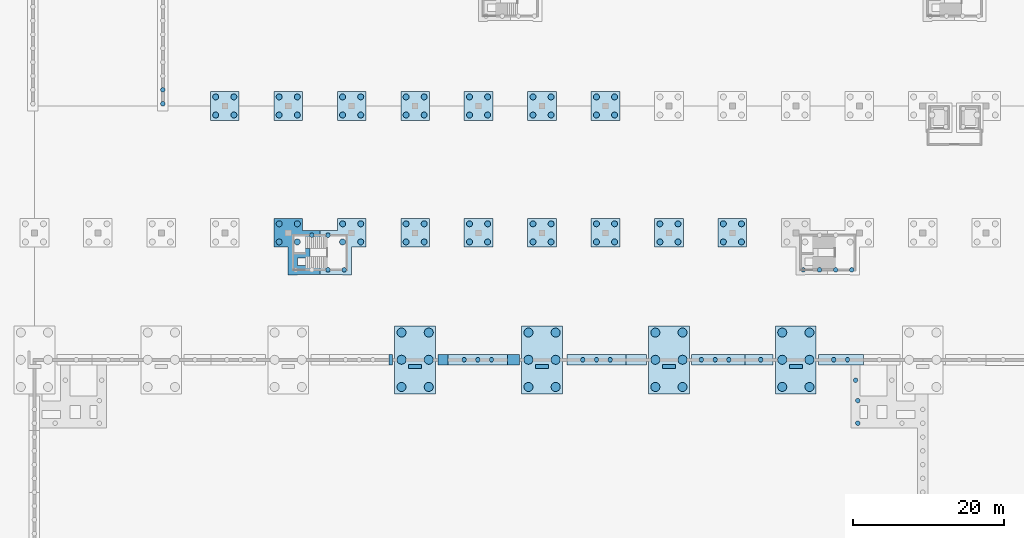
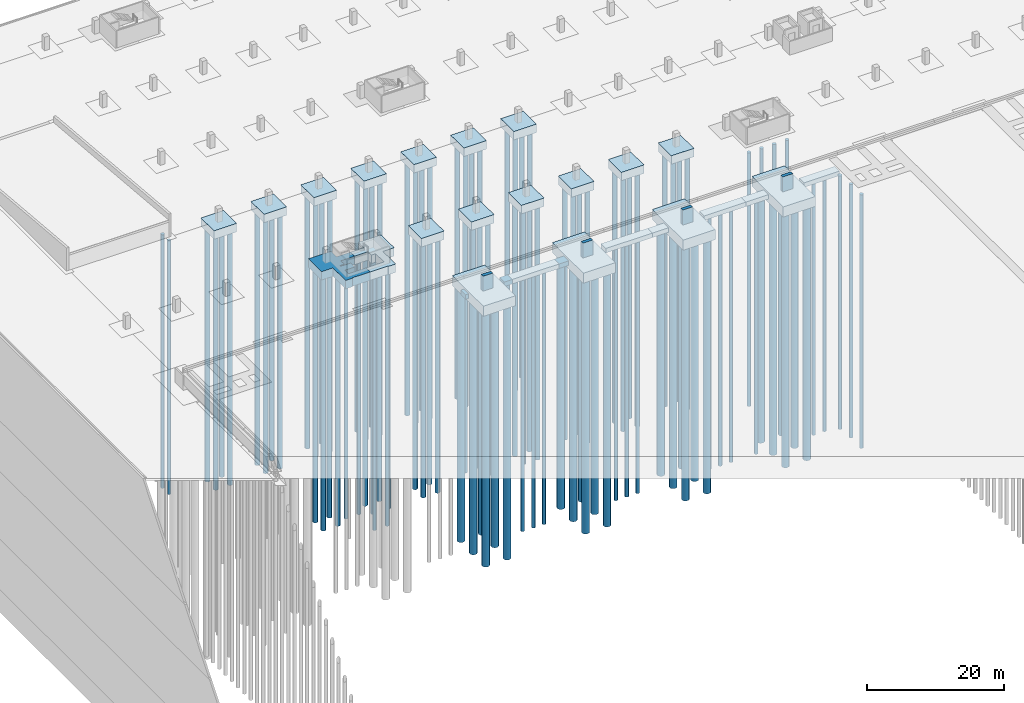
# One storey, part 14 of 67: 109 piles, 32 footings.
"""IFC4 building model written with IfcOpenShell, lengths in metres."""

from ifc_helpers import new_model, si_unit, direction, frame, origin, origin_2d, place, context, subcontext, project, spatial, polyline, circle, outline, extrude, material, material_profile, profile_set, type_object, element, save


model = new_model("IFC4")

# Units and contexts
model_context = context("Model", 3, precision=1e-05, world=origin(), true_north=direction((0.0, 1.0)))
body_context = subcontext(model_context, "Body", "Model", "MODEL_VIEW")
ifc_project = project(units=[si_unit("LENGTHUNIT", "METRE"), si_unit("AREAUNIT", "SQUARE_METRE"), si_unit("VOLUMEUNIT", "CUBIC_METRE"), si_unit("PLANEANGLEUNIT", "RADIAN"), si_unit("MASSUNIT", "GRAM", prefix="KILO")], contexts=[model_context])

# Site, building, storey
site_placement = place(None, origin())
site = spatial("IfcSite", under=ifc_project, at=site_placement, CompositionType="ELEMENT")
building_placement = place(site_placement, origin())
building = spatial("IfcBuilding", under=site, at=building_placement, Name="Rain Tree Exposition and Congress Centre", CompositionType="ELEMENT")
storey_placement = place(building_placement, frame((0.0, 0.0, -3.0)))
storey = spatial("IfcBuildingStorey", under=building, at=storey_placement, Name="B1", CompositionType="ELEMENT", Elevation=-3.0)

# Piles
ifc_material_1 = material(Name="Concrete C35/45", Category="concrete")
ifc_material_profile_1 = material_profile(ifc_material_1, circle(Radius=0.60009765625, at=origin_2d()), Name="D1200")
ifc_profile_set_1 = profile_set([ifc_material_profile_1], Name="Concrete C35/45")
pile_type_1 = type_object("IfcPileType", Name="Bored pile D1200", PredefinedType="BORED", material=ifc_profile_set_1)
for number, where, z_axis, x_axis, name in (
    (1, (57.0, 198.0, -1.72509765625), (0.0, 0.0, -1.0), (1.0, 0.0, 0.0), "Bored pile 0429"),
    (2, (60.60009765625, 198.0, -1.72509765625), (0.0, 0.0, -1.0), (1.0, 0.0, 0.0), "Bored pile 0430"),
    (3, (57.0, 201.60009765625, -1.72509765625), (0.0, 0.0, -1.0), (1.0, 0.0, 0.0), "Bored pile 0431"),
    (4, (60.60009765625, 201.60009765625, -1.72509765625), (0.0, 0.0, -1.0), (1.0, 0.0, 0.0), "Bored pile 0432"),
    (5, (57.0, 205.199951171875, -1.72509765625), (0.0, 0.0, -1.0), (1.0, 0.0, 0.0), "Bored pile 0433"),
    (6, (60.60009765625, 205.199951171875, -1.72509765625), (0.0, 0.0, -1.0), (1.0, 0.0, 0.0), "Bored pile 0434"),
    (7, (73.800048828125, 198.0, -1.72509765625), (0.0, 0.0, -1.0), (1.0, 0.0, 0.0), "Bored pile 0622"),
    (8, (77.39990234375, 198.0, -1.72509765625), (0.0, 0.0, -1.0), (1.0, 0.0, 0.0), "Bored pile 0623"),
    (9, (73.800048828125, 201.60009765625, -1.72509765625), (0.0, 0.0, -1.0), (1.0, 0.0, 0.0), "Bored pile 0624"),
    (10, (77.39990234375, 201.60009765625, -1.72509765625), (0.0, 0.0, -1.0), (1.0, 0.0, 0.0), "Bored pile 0625"),
    (11, (73.800048828125, 205.199951171875, -1.72509765625), (0.0, 0.0, -1.0), (1.0, 0.0, 0.0), "Bored pile 0626"),
    (12, (77.39990234375, 205.199951171875, -1.72509765625), (0.0, 0.0, -1.0), (1.0, 0.0, 0.0), "Bored pile 0627"),
    (13, (90.60009765625, 198.0, -1.72509765625), (0.0, 0.0, -1.0), (1.0, 0.0, 0.0), "Bored pile 0628"),
    (14, (94.199951171875, 198.0, -1.72509765625), (0.0, 0.0, -1.0), (1.0, 0.0, 0.0), "Bored pile 0629"),
    (15, (90.60009765625, 201.60009765625, -1.72509765625), (0.0, 0.0, -1.0), (1.0, 0.0, 0.0), "Bored pile 0630"),
    (16, (94.199951171875, 201.60009765625, -1.72509765625), (0.0, 0.0, -1.0), (1.0, 0.0, 0.0), "Bored pile 0631"),
    (17, (90.60009765625, 205.199951171875, -1.72509765625), (0.0, 0.0, -1.0), (1.0, 0.0, 0.0), "Bored pile 0632"),
    (18, (94.199951171875, 205.199951171875, -1.72509765625), (0.0, 0.0, -1.0), (1.0, 0.0, 0.0), "Bored pile 0633"),
    (19, (107.39990234375, 198.0, -1.72509765625), (0.0, 0.0, -1.0), (1.0, 0.0, 0.0), "Bored pile 0807"),
    (20, (111.0, 198.0, -1.72509765625), (0.0, 0.0, -1.0), (1.0, 0.0, 0.0), "Bored pile 0808"),
    (21, (107.39990234375, 201.60009765625, -1.72509765625), (0.0, 0.0, -1.0), (1.0, 0.0, 0.0), "Bored pile 0809"),
    (22, (111.0, 201.60009765625, -1.72509765625), (0.0, 0.0, -1.0), (1.0, 0.0, 0.0), "Bored pile 0810"),
    (23, (107.39990234375, 205.199951171875, -1.72509765625), (0.0, 0.0, -1.0), (1.0, 0.0, 0.0), "Bored pile 0811"),
    (24, (111.0, 205.199951171875, -1.72509765625), (0.0, 0.0, -1.0), (1.0, 0.0, 0.0), "Bored pile 0812"),
):
    element("IfcPile", number, at=place(storey_placement, frame(where, z_axis=z_axis, x_axis=x_axis)), inside=storey, type_object=pile_type_1, Name=name, PredefinedType="BORED", context=body_context, shape_type="SweptSolid", body=[
        extrude(circle(Radius=0.60009765625, at=origin_2d()), origin(), (0.0, 0.0, 1.0), 45.074951171875),
    ])
ifc_material_2 = material(Name="Concrete C35/45", Category="concrete")
ifc_material_profile_2 = material_profile(ifc_material_2, circle(Radius=0.300048828125, at=origin_2d()), Name="D600")
ifc_profile_set_2 = profile_set([ifc_material_profile_2], Name="Concrete C35/45")
pile_type_2 = type_object("IfcPileType", Name="Bored pile D600", PredefinedType="BORED", material=ifc_profile_set_2)
for number, where, z_axis, x_axis, name in (
    (25, (25.39990234375, 237.333251953125, -0.72509765625), (0.0, 0.0, -1.0), (1.0, 0.0, 0.0), "Bored pile 0265"),
    (26, (25.39990234375, 235.5, -0.72509765625), (0.0, 0.0, -1.0), (1.0, 0.0, 0.0), "Bored pile 0266"),
    (27, (45.13330078125, 218.10009765625, -1.425048828125), (0.0, 0.0, -1.0), (1.0, 0.0, 0.0), "Bored pile 0441"),
    (28, (47.2666015625, 213.5, -1.425048828125), (0.0, 0.0, -1.0), (1.0, 0.0, 0.0), "Bored pile 0442"),
    (29, (47.2666015625, 218.10009765625, -1.425048828125), (0.0, 0.0, -1.0), (1.0, 0.0, 0.0), "Bored pile 0443"),
    (30, (49.39990234375, 213.5, -1.425048828125), (0.0, 0.0, -1.0), (1.0, 0.0, 0.0), "Bored pile 0446"),
    (31, (110.199951171875, 213.5, -1.425048828125), (0.0, 0.0, -1.0), (1.0, 0.0, 0.0), "Bored pile 0815"),
    (32, (112.333251953125, 213.5, -1.425048828125), (0.0, 0.0, -1.0), (1.0, 0.0, 0.0), "Bored pile 0818"),
    (33, (114.466796875, 213.5, -1.425048828125), (0.0, 0.0, -1.0), (1.0, 0.0, 0.0), "Bored pile 0820"),
    (34, (116.60009765625, 213.5, -1.425048828125), (0.0, 0.0, -1.0), (1.0, 0.0, 0.0), "Bored pile 0824"),
    (35, (117.39990234375, 193.199951171875, 0.92578125), (0.0, 0.0, -1.0), (1.0, 0.0, 0.0), "Bored pile 1813"),
    (36, (117.39990234375, 196.199951171875, 0.92578125), (0.0, 0.0, -1.0), (1.0, 0.0, 0.0), "Bored pile 1815"),
    (37, (117.10009765625, 198.89990234375, 0.92578125), (0.0, 0.0, -1.0), (1.0, 0.0, 0.0), "Bored pile 1816"),
    (38, (65.28662109375, 201.60009765625, -0.72509765625), (0.0, 0.0, -1.0), (1.0, 0.0, 0.0), "Bored pile 2500"),
    (39, (67.10009765625, 201.60009765625, -0.72509765625), (0.0, 0.0, -1.0), (1.0, 0.0, 0.0), "Bored pile 2501"),
    (40, (68.913330078125, 201.60009765625, -0.72509765625), (0.0, 0.0, -1.0), (1.0, 0.0, 0.0), "Bored pile 2502"),
    (41, (80.993408203125, 201.60009765625, -0.72509765625), (0.0, 0.0, -1.0), (1.0, 0.0, 0.0), "Bored pile 2503"),
    (42, (82.806640625, 201.60009765625, -0.72509765625), (0.0, 0.0, -1.0), (1.0, 0.0, 0.0), "Bored pile 2504"),
    (43, (84.6201171875, 201.60009765625, -0.72509765625), (0.0, 0.0, -1.0), (1.0, 0.0, 0.0), "Bored pile 2505"),
    (44, (96.699951171875, 201.60009765625, -0.72509765625), (0.0, 0.0, -1.0), (1.0, 0.0, 0.0), "Bored pile 2506"),
    (45, (98.51318359375, 201.60009765625, -0.72509765625), (0.0, 0.0, -1.0), (1.0, 0.0, 0.0), "Bored pile 2507"),
    (46, (100.32666015625, 201.60009765625, -0.72509765625), (0.0, 0.0, -1.0), (1.0, 0.0, 0.0), "Bored pile 2508"),
    (47, (104.55322265625, 201.60009765625, -0.72509765625), (0.0, 0.0, -1.0), (1.0, 0.0, 0.0), "Bored pile 2509"),
    (48, (114.219970703125, 201.60009765625, -0.72509765625), (0.0, 0.0, -1.0), (1.0, 0.0, 0.0), "Bored pile 2510"),
    (49, (116.033203125, 201.60009765625, -0.72509765625), (0.0, 0.0, -1.0), (1.0, 0.0, 0.0), "Bored pile 2511"),
):
    element("IfcPile", number, at=place(storey_placement, frame(where, z_axis=z_axis, x_axis=x_axis)), inside=storey, type_object=pile_type_2, Name=name, PredefinedType="BORED", context=body_context, shape_type="SweptSolid", body=[
        extrude(circle(Radius=0.300048828125, at=origin_2d()), origin(), (0.0, 0.0, 1.0), 45.074951171875),
    ])
ifc_material_3 = material(Name="Concrete C35/45", Category="concrete")
ifc_material_profile_3 = material_profile(ifc_material_3, circle(Radius=0.39990234375, at=origin_2d()), Name="D800")
ifc_profile_set_3 = profile_set([ifc_material_profile_3], Name="Concrete C35/45")
pile_type_3 = type_object("IfcPileType", Name="Bored pile D800", PredefinedType="BORED", material=ifc_profile_set_3)
for number, where, z_axis, x_axis, name in (
    (50, (32.39990234375, 234.0, -1.425048828125), (0.0, 0.0, -1.0), (1.0, 0.0, 0.0), "Bored pile 0221"),
    (51, (34.800048828125, 234.0, -1.425048828125), (0.0, 0.0, -1.0), (1.0, 0.0, 0.0), "Bored pile 0222"),
    (52, (32.39990234375, 236.39990234375, -1.425048828125), (0.0, 0.0, -1.0), (1.0, 0.0, 0.0), "Bored pile 0223"),
    (53, (34.800048828125, 236.39990234375, -1.425048828125), (0.0, 0.0, -1.0), (1.0, 0.0, 0.0), "Bored pile 0224"),
    (54, (40.800048828125, 217.199951171875, -1.425048828125), (0.0, 0.0, -1.0), (1.0, 0.0, 0.0), "Bored pile 0435"),
    (55, (40.800048828125, 219.60009765625, -1.425048828125), (0.0, 0.0, -1.0), (1.0, 0.0, 0.0), "Bored pile 0436"),
    (56, (43.199951171875, 217.199951171875, -1.425048828125), (0.0, 0.0, -1.0), (1.0, 0.0, 0.0), "Bored pile 0438"),
    (57, (43.199951171875, 219.60009765625, -1.425048828125), (0.0, 0.0, -1.0), (1.0, 0.0, 0.0), "Bored pile 0439"),
    (58, (49.199951171875, 217.199951171875, -1.425048828125), (0.0, 0.0, -1.0), (1.0, 0.0, 0.0), "Bored pile 0444"),
    (59, (49.199951171875, 219.60009765625, -1.425048828125), (0.0, 0.0, -1.0), (1.0, 0.0, 0.0), "Bored pile 0445"),
    (60, (51.60009765625, 217.199951171875, -1.425048828125), (0.0, 0.0, -1.0), (1.0, 0.0, 0.0), "Bored pile 0447"),
    (61, (51.60009765625, 219.60009765625, -1.425048828125), (0.0, 0.0, -1.0), (1.0, 0.0, 0.0), "Bored pile 0448"),
    (62, (57.60009765625, 217.199951171875, -1.425048828125), (0.0, 0.0, -1.0), (1.0, 0.0, 0.0), "Bored pile 0449"),
    (63, (60.0, 217.199951171875, -1.425048828125), (0.0, 0.0, -1.0), (1.0, 0.0, 0.0), "Bored pile 0450"),
    (64, (57.60009765625, 219.60009765625, -1.425048828125), (0.0, 0.0, -1.0), (1.0, 0.0, 0.0), "Bored pile 0451"),
    (65, (60.0, 219.60009765625, -1.425048828125), (0.0, 0.0, -1.0), (1.0, 0.0, 0.0), "Bored pile 0452"),
    (66, (66.0, 217.199951171875, -1.425048828125), (0.0, 0.0, -1.0), (1.0, 0.0, 0.0), "Bored pile 0453"),
    (67, (68.39990234375, 217.199951171875, -1.425048828125), (0.0, 0.0, -1.0), (1.0, 0.0, 0.0), "Bored pile 0454"),
    (68, (66.0, 219.60009765625, -1.425048828125), (0.0, 0.0, -1.0), (1.0, 0.0, 0.0), "Bored pile 0455"),
    (69, (68.39990234375, 219.60009765625, -1.425048828125), (0.0, 0.0, -1.0), (1.0, 0.0, 0.0), "Bored pile 0456"),
    (70, (40.800048828125, 234.0, -1.425048828125), (0.0, 0.0, -1.0), (1.0, 0.0, 0.0), "Bored pile 0457"),
    (71, (43.199951171875, 234.0, -1.425048828125), (0.0, 0.0, -1.0), (1.0, 0.0, 0.0), "Bored pile 0458"),
    (72, (40.800048828125, 236.39990234375, -1.425048828125), (0.0, 0.0, -1.0), (1.0, 0.0, 0.0), "Bored pile 0459"),
    (73, (43.199951171875, 236.39990234375, -1.425048828125), (0.0, 0.0, -1.0), (1.0, 0.0, 0.0), "Bored pile 0460"),
    (74, (66.0, 234.0, -1.425048828125), (0.0, 0.0, -1.0), (1.0, 0.0, 0.0), "Bored pile 0461"),
    (75, (68.39990234375, 234.0, -1.425048828125), (0.0, 0.0, -1.0), (1.0, 0.0, 0.0), "Bored pile 0462"),
    (76, (66.0, 236.39990234375, -1.425048828125), (0.0, 0.0, -1.0), (1.0, 0.0, 0.0), "Bored pile 0463"),
    (77, (68.39990234375, 236.39990234375, -1.425048828125), (0.0, 0.0, -1.0), (1.0, 0.0, 0.0), "Bored pile 0464"),
    (78, (49.199951171875, 234.0, -1.425048828125), (0.0, 0.0, -1.0), (1.0, 0.0, 0.0), "Bored pile 0465"),
    (79, (51.60009765625, 234.0, -1.425048828125), (0.0, 0.0, -1.0), (1.0, 0.0, 0.0), "Bored pile 0466"),
    (80, (49.199951171875, 236.39990234375, -1.425048828125), (0.0, 0.0, -1.0), (1.0, 0.0, 0.0), "Bored pile 0467"),
    (81, (51.60009765625, 236.39990234375, -1.425048828125), (0.0, 0.0, -1.0), (1.0, 0.0, 0.0), "Bored pile 0468"),
    (82, (57.60009765625, 234.0, -1.425048828125), (0.0, 0.0, -1.0), (1.0, 0.0, 0.0), "Bored pile 0469"),
    (83, (60.0, 234.0, -1.425048828125), (0.0, 0.0, -1.0), (1.0, 0.0, 0.0), "Bored pile 0470"),
    (84, (57.60009765625, 236.39990234375, -1.425048828125), (0.0, 0.0, -1.0), (1.0, 0.0, 0.0), "Bored pile 0471"),
    (85, (60.0, 236.39990234375, -1.425048828125), (0.0, 0.0, -1.0), (1.0, 0.0, 0.0), "Bored pile 0472"),
    (86, (91.199951171875, 217.199951171875, -1.425048828125), (0.0, 0.0, -1.0), (1.0, 0.0, 0.0), "Bored pile 0634"),
    (87, (93.60009765625, 217.199951171875, -1.425048828125), (0.0, 0.0, -1.0), (1.0, 0.0, 0.0), "Bored pile 0635"),
    (88, (91.199951171875, 219.60009765625, -1.425048828125), (0.0, 0.0, -1.0), (1.0, 0.0, 0.0), "Bored pile 0636"),
    (89, (93.60009765625, 219.60009765625, -1.425048828125), (0.0, 0.0, -1.0), (1.0, 0.0, 0.0), "Bored pile 0637"),
    (90, (99.60009765625, 217.199951171875, -1.425048828125), (0.0, 0.0, -1.0), (1.0, 0.0, 0.0), "Bored pile 0638"),
    (91, (102.0, 217.199951171875, -1.425048828125), (0.0, 0.0, -1.0), (1.0, 0.0, 0.0), "Bored pile 0639"),
    (92, (99.60009765625, 219.60009765625, -1.425048828125), (0.0, 0.0, -1.0), (1.0, 0.0, 0.0), "Bored pile 0640"),
    (93, (102.0, 219.60009765625, -1.425048828125), (0.0, 0.0, -1.0), (1.0, 0.0, 0.0), "Bored pile 0641"),
    (94, (82.800048828125, 217.199951171875, -1.425048828125), (0.0, 0.0, -1.0), (1.0, 0.0, 0.0), "Bored pile 0642"),
    (95, (85.199951171875, 217.199951171875, -1.425048828125), (0.0, 0.0, -1.0), (1.0, 0.0, 0.0), "Bored pile 0643"),
    (96, (82.800048828125, 219.60009765625, -1.425048828125), (0.0, 0.0, -1.0), (1.0, 0.0, 0.0), "Bored pile 0644"),
    (97, (85.199951171875, 219.60009765625, -1.425048828125), (0.0, 0.0, -1.0), (1.0, 0.0, 0.0), "Bored pile 0645"),
    (98, (74.39990234375, 217.199951171875, -1.425048828125), (0.0, 0.0, -1.0), (1.0, 0.0, 0.0), "Bored pile 0646"),
    (99, (76.800048828125, 217.199951171875, -1.425048828125), (0.0, 0.0, -1.0), (1.0, 0.0, 0.0), "Bored pile 0647"),
    (100, (74.39990234375, 219.60009765625, -1.425048828125), (0.0, 0.0, -1.0), (1.0, 0.0, 0.0), "Bored pile 0648"),
    (101, (76.800048828125, 219.60009765625, -1.425048828125), (0.0, 0.0, -1.0), (1.0, 0.0, 0.0), "Bored pile 0649"),
    (102, (82.800048828125, 234.0, -1.425048828125), (0.0, 0.0, -1.0), (1.0, 0.0, 0.0), "Bored pile 0654"),
    (103, (85.199951171875, 234.0, -1.425048828125), (0.0, 0.0, -1.0), (1.0, 0.0, 0.0), "Bored pile 0655"),
    (104, (82.800048828125, 236.39990234375, -1.425048828125), (0.0, 0.0, -1.0), (1.0, 0.0, 0.0), "Bored pile 0656"),
    (105, (85.199951171875, 236.39990234375, -1.425048828125), (0.0, 0.0, -1.0), (1.0, 0.0, 0.0), "Bored pile 0657"),
    (106, (74.39990234375, 234.0, -1.425048828125), (0.0, 0.0, -1.0), (1.0, 0.0, 0.0), "Bored pile 0658"),
    (107, (76.800048828125, 234.0, -1.425048828125), (0.0, 0.0, -1.0), (1.0, 0.0, 0.0), "Bored pile 0659"),
    (108, (74.39990234375, 236.39990234375, -1.425048828125), (0.0, 0.0, -1.0), (1.0, 0.0, 0.0), "Bored pile 0660"),
    (109, (76.800048828125, 236.39990234375, -1.425048828125), (0.0, 0.0, -1.0), (1.0, 0.0, 0.0), "Bored pile 0661"),
):
    element("IfcPile", number, at=place(storey_placement, frame(where, z_axis=z_axis, x_axis=x_axis)), inside=storey, type_object=pile_type_3, Name=name, PredefinedType="BORED", context=body_context, shape_type="SweptSolid", body=[
        extrude(circle(Radius=0.39990234375, at=origin_2d()), origin(), (0.0, 0.0, 1.0), 45.074951171875),
    ])

# Footings
ifc_material_4 = material(Name="Concrete C35/45", Category="concrete")
footing_type_1 = type_object("IfcFootingType", Name="Pier cap 2650 thick", PredefinedType="PILE_CAP", material=ifc_material_4)
footing_1_placement = place(storey_placement, origin())
element("IfcFooting", 110, at=footing_1_placement, inside=storey, type_object=footing_type_1, Name="Pier cap 017", PredefinedType="PILE_CAP", context=body_context, shape_type="SweptSolid", body=[
    extrude(outline(polyline([(57.949951171875, 201.0), (57.949951171875, 200.449951171875), (59.64990234375, 200.449951171875), (59.64990234375, 201.0), (57.949951171875, 201.0)])), origin(), (0.0, 0.0, 1.0), 2.64990234375),
])
footing_2_placement = place(storey_placement, origin())
element("IfcFooting", 111, at=footing_2_placement, inside=storey, type_object=footing_type_1, Name="Pier cap 018", PredefinedType="PILE_CAP", context=body_context, shape_type="SweptSolid", body=[
    extrude(outline(polyline([(74.75, 201.0), (74.75, 200.449951171875), (76.449951171875, 200.449951171875), (76.449951171875, 201.0), (74.75, 201.0)])), origin(), (0.0, 0.0, 1.0), 2.64990234375),
])
footing_3_placement = place(storey_placement, origin())
element("IfcFooting", 112, at=footing_3_placement, inside=storey, type_object=footing_type_1, Name="Pier cap 019", PredefinedType="PILE_CAP", context=body_context, shape_type="SweptSolid", body=[
    extrude(outline(polyline([(91.550048828125, 201.0), (91.550048828125, 200.449951171875), (93.25, 200.449951171875), (93.25, 201.0), (91.550048828125, 201.0)])), origin(), (0.0, 0.0, 1.0), 2.64990234375),
])
footing_4_placement = place(storey_placement, origin())
element("IfcFooting", 113, at=footing_4_placement, inside=storey, type_object=footing_type_1, Name="Pier cap 020", PredefinedType="PILE_CAP", context=body_context, shape_type="SweptSolid", body=[
    extrude(outline(polyline([(108.35009765625, 201.0), (108.35009765625, 200.449951171875), (110.050048828125, 200.449951171875), (110.050048828125, 201.0), (108.35009765625, 201.0)])), origin(), (0.0, 0.0, 1.0), 2.64990234375),
])
ifc_material_5 = material(Name="Concrete C35/45", Category="concrete")
footing_type_2 = type_object("IfcFootingType", Name="Pile cap 1500 thick", PredefinedType="PILE_CAP", material=ifc_material_5)
footing_5_placement = place(storey_placement, frame((0.0, 0.0, -1.5)))
element("IfcFooting", 114, at=footing_5_placement, inside=storey, type_object=footing_type_2, Name="Pile cap 051", PredefinedType="PILE_CAP", context=body_context, shape_type="SweptSolid", body=[
    extrude(outline(polyline([(35.5, 233.300048828125), (35.5, 237.10009765625), (31.699951171875, 237.10009765625), (31.699951171875, 233.300048828125), (35.5, 233.300048828125)])), origin(), (0.0, 0.0, 1.0), 1.5),
])
footing_6_placement = place(storey_placement, frame((0.0, 0.0, -1.5)))
element("IfcFooting", 115, at=footing_6_placement, inside=storey, type_object=footing_type_2, Name="Pile cap 087", PredefinedType="PILE_CAP", context=body_context, shape_type="SweptSolid", body=[
    extrude(outline(polyline([(60.699951171875, 216.5), (60.699951171875, 220.300048828125), (56.89990234375, 220.300048828125), (56.89990234375, 216.5), (60.699951171875, 216.5)])), origin(), (0.0, 0.0, 1.0), 1.5),
])
footing_7_placement = place(storey_placement, frame((0.0, 0.0, -1.5)))
element("IfcFooting", 116, at=footing_7_placement, inside=storey, type_object=footing_type_2, Name="Pile cap 088", PredefinedType="PILE_CAP", context=body_context, shape_type="SweptSolid", body=[
    extrude(outline(polyline([(69.10009765625, 216.5), (69.10009765625, 220.300048828125), (65.300048828125, 220.300048828125), (65.300048828125, 216.5), (69.10009765625, 216.5)])), origin(), (0.0, 0.0, 1.0), 1.5),
])
footing_8_placement = place(storey_placement, frame((0.0, 0.0, -1.5)))
element("IfcFooting", 117, at=footing_8_placement, inside=storey, type_object=footing_type_2, Name="Pile cap 089", PredefinedType="PILE_CAP", context=body_context, shape_type="SweptSolid", body=[
    extrude(outline(polyline([(43.89990234375, 233.300048828125), (43.89990234375, 237.10009765625), (40.10009765625, 237.10009765625), (40.10009765625, 233.300048828125), (43.89990234375, 233.300048828125)])), origin(), (0.0, 0.0, 1.0), 1.5),
])
footing_9_placement = place(storey_placement, frame((0.0, 0.0, -1.5)))
element("IfcFooting", 118, at=footing_9_placement, inside=storey, type_object=footing_type_2, Name="Pile cap 090", PredefinedType="PILE_CAP", context=body_context, shape_type="SweptSolid", body=[
    extrude(outline(polyline([(69.10009765625, 233.300048828125), (69.10009765625, 237.10009765625), (65.300048828125, 237.10009765625), (65.300048828125, 233.300048828125), (69.10009765625, 233.300048828125)])), origin(), (0.0, 0.0, 1.0), 1.5),
])
footing_10_placement = place(storey_placement, frame((0.0, 0.0, -1.5)))
element("IfcFooting", 119, at=footing_10_placement, inside=storey, type_object=footing_type_2, Name="Pile cap 091", PredefinedType="PILE_CAP", context=body_context, shape_type="SweptSolid", body=[
    extrude(outline(polyline([(52.300048828125, 233.300048828125), (52.300048828125, 237.10009765625), (48.5, 237.10009765625), (48.5, 233.300048828125), (52.300048828125, 233.300048828125)])), origin(), (0.0, 0.0, 1.0), 1.5),
])
footing_11_placement = place(storey_placement, frame((0.0, 0.0, -1.5)))
element("IfcFooting", 120, at=footing_11_placement, inside=storey, type_object=footing_type_2, Name="Pile cap 092", PredefinedType="PILE_CAP", context=body_context, shape_type="SweptSolid", body=[
    extrude(outline(polyline([(60.699951171875, 233.300048828125), (60.699951171875, 237.10009765625), (56.89990234375, 237.10009765625), (56.89990234375, 233.300048828125), (60.699951171875, 233.300048828125)])), origin(), (0.0, 0.0, 1.0), 1.5),
])
footing_12_placement = place(storey_placement, frame((0.0, 0.0, -1.5)))
element("IfcFooting", 121, at=footing_12_placement, inside=storey, type_object=footing_type_2, Name="Pile cap 125", PredefinedType="PILE_CAP", context=body_context, shape_type="SweptSolid", body=[
    extrude(outline(polyline([(94.300048828125, 216.5), (94.300048828125, 220.300048828125), (90.5, 220.300048828125), (90.5, 216.5), (94.300048828125, 216.5)])), origin(), (0.0, 0.0, 1.0), 1.5),
])
footing_13_placement = place(storey_placement, frame((0.0, 0.0, -1.5)))
element("IfcFooting", 122, at=footing_13_placement, inside=storey, type_object=footing_type_2, Name="Pile cap 126", PredefinedType="PILE_CAP", context=body_context, shape_type="SweptSolid", body=[
    extrude(outline(polyline([(102.699951171875, 216.5), (102.699951171875, 220.300048828125), (98.89990234375, 220.300048828125), (98.89990234375, 216.5), (102.699951171875, 216.5)])), origin(), (0.0, 0.0, 1.0), 1.5),
])
footing_14_placement = place(storey_placement, frame((0.0, 0.0, -1.5)))
element("IfcFooting", 123, at=footing_14_placement, inside=storey, type_object=footing_type_2, Name="Pile cap 127", PredefinedType="PILE_CAP", context=body_context, shape_type="SweptSolid", body=[
    extrude(outline(polyline([(85.89990234375, 216.5), (85.89990234375, 220.300048828125), (82.10009765625, 220.300048828125), (82.10009765625, 216.5), (85.89990234375, 216.5)])), origin(), (0.0, 0.0, 1.0), 1.5),
])
footing_15_placement = place(storey_placement, frame((0.0, 0.0, -1.5)))
element("IfcFooting", 124, at=footing_15_placement, inside=storey, type_object=footing_type_2, Name="Pile cap 128", PredefinedType="PILE_CAP", context=body_context, shape_type="SweptSolid", body=[
    extrude(outline(polyline([(77.5, 216.5), (77.5, 220.300048828125), (73.699951171875, 220.300048828125), (73.699951171875, 216.5), (77.5, 216.5)])), origin(), (0.0, 0.0, 1.0), 1.5),
])
footing_16_placement = place(storey_placement, frame((0.0, 0.0, -1.5)))
element("IfcFooting", 125, at=footing_16_placement, inside=storey, type_object=footing_type_2, Name="Pile cap 130", PredefinedType="PILE_CAP", context=body_context, shape_type="SweptSolid", body=[
    extrude(outline(polyline([(85.89990234375, 233.300048828125), (85.89990234375, 237.10009765625), (82.10009765625, 237.10009765625), (82.10009765625, 233.300048828125), (85.89990234375, 233.300048828125)])), origin(), (0.0, 0.0, 1.0), 1.5),
])
footing_17_placement = place(storey_placement, frame((0.0, 0.0, -1.5)))
element("IfcFooting", 126, at=footing_17_placement, inside=storey, type_object=footing_type_2, Name="Pile cap 131", PredefinedType="PILE_CAP", context=body_context, shape_type="SweptSolid", body=[
    extrude(outline(polyline([(77.5, 233.300048828125), (77.5, 237.10009765625), (73.699951171875, 237.10009765625), (73.699951171875, 233.300048828125), (77.5, 233.300048828125)])), origin(), (0.0, 0.0, 1.0), 1.5),
])
ifc_material_6 = material(Name="Concrete C35/45", Category="concrete")
footing_type_3 = type_object("IfcFootingType", Name="Pile cap 1800 thick", PredefinedType="PILE_CAP", material=ifc_material_6)
footing_18_placement = place(storey_placement, frame((0.0, 0.0, -1.800048828125)))
element("IfcFooting", 127, at=footing_18_placement, inside=storey, type_object=footing_type_3, Name="Pile cap 086", PredefinedType="PILE_CAP", context=body_context, shape_type="SweptSolid", body=[
    extrude(outline(polyline([(61.5, 197.10009765625), (61.5, 206.10009765625), (56.10009765625, 206.10009765625), (56.10009765625, 197.10009765625), (61.5, 197.10009765625)])), origin(), (0.0, 0.0, 1.0), 1.800048828125),
])
footing_19_placement = place(storey_placement, frame((0.0, 0.0, -1.800048828125)))
element("IfcFooting", 128, at=footing_19_placement, inside=storey, type_object=footing_type_3, Name="Pile cap 123", PredefinedType="PILE_CAP", context=body_context, shape_type="SweptSolid", body=[
    extrude(outline(polyline([(78.300048828125, 197.10009765625), (78.300048828125, 206.10009765625), (72.89990234375, 206.10009765625), (72.89990234375, 197.10009765625), (78.300048828125, 197.10009765625)])), origin(), (0.0, 0.0, 1.0), 1.800048828125),
])
footing_20_placement = place(storey_placement, frame((0.0, 0.0, -1.800048828125)))
element("IfcFooting", 129, at=footing_20_placement, inside=storey, type_object=footing_type_3, Name="Pile cap 124", PredefinedType="PILE_CAP", context=body_context, shape_type="SweptSolid", body=[
    extrude(outline(polyline([(95.10009765625, 197.10009765625), (95.10009765625, 206.10009765625), (89.699951171875, 206.10009765625), (89.699951171875, 197.10009765625), (95.10009765625, 197.10009765625)])), origin(), (0.0, 0.0, 1.0), 1.800048828125),
])
footing_21_placement = place(storey_placement, frame((0.0, 0.0, -1.800048828125)))
element("IfcFooting", 130, at=footing_21_placement, inside=storey, type_object=footing_type_3, Name="Pile cap 157", PredefinedType="PILE_CAP", context=body_context, shape_type="SweptSolid", body=[
    extrude(outline(polyline([(111.89990234375, 197.10009765625), (111.89990234375, 206.10009765625), (106.5, 206.10009765625), (106.5, 197.10009765625), (111.89990234375, 197.10009765625)])), origin(), (0.0, 0.0, 1.0), 1.800048828125),
])
ifc_material_7 = material(Name="Concrete C35/45", Category="concrete")
footing_type_4 = type_object("IfcFootingType", Name="Strip footing 1500 thick", PredefinedType="STRIP_FOOTING", material=ifc_material_7)
footing_22_placement = place(storey_placement, frame((0.0, 0.0, -1.5)))
element("IfcFooting", 131, at=footing_22_placement, inside=storey, type_object=footing_type_4, Name="Strip footing 009", PredefinedType="STRIP_FOOTING", context=body_context, shape_type="SweptSolid", body=[
    extrude(outline(polyline([(43.199951171875, 212.800048828125), (43.199951171875, 212.89990234375), (46.199951171875, 212.89990234375), (46.199951171875, 214.10009765625), (43.199951171875, 214.10009765625), (43.199951171875, 215.10009765625), (44.89990234375, 215.10009765625), (44.89990234375, 216.300048828125), (44.300048828125, 216.300048828125), (43.199951171875, 216.300048828125), (43.199951171875, 216.5), (43.89990234375, 216.5), (43.89990234375, 217.5), (46.199951171875, 217.5), (46.199951171875, 218.699951171875), (43.89990234375, 218.699951171875), (43.89990234375, 220.300048828125), (40.10009765625, 220.300048828125), (40.10009765625, 216.5), (42.0, 216.5), (42.0, 212.800048828125), (43.199951171875, 212.800048828125)])), origin(), (0.0, 0.0, 1.0), 1.5),
])
footing_23_placement = place(storey_placement, frame((0.0, 0.0, -1.5)))
element("IfcFooting", 132, at=footing_23_placement, inside=storey, type_object=footing_type_4, Name="Strip footing 010", PredefinedType="STRIP_FOOTING", context=body_context, shape_type="SweptSolid", body=[
    extrude(outline(polyline([(48.5, 218.699951171875), (46.199951171875, 218.699951171875), (46.199951171875, 217.5), (48.5, 217.5), (48.5, 216.5), (49.199951171875, 216.5), (49.199951171875, 214.10009765625), (46.199951171875, 214.10009765625), (46.199951171875, 212.89990234375), (49.199951171875, 212.89990234375), (49.199951171875, 212.800048828125), (50.39990234375, 212.800048828125), (50.39990234375, 213.39990234375), (50.39990234375, 216.5), (52.300048828125, 216.5), (52.300048828125, 220.300048828125), (48.5, 220.300048828125), (48.5, 218.699951171875)])), origin(), (0.0, 0.0, 1.0), 1.5),
])
ifc_material_8 = material(Name="Concrete C35/45", Category="concrete")
footing_type_5 = type_object("IfcFootingType", Name="Strip footing 800 thick", PredefinedType="STRIP_FOOTING", material=ifc_material_8)
footing_24_placement = place(storey_placement, frame((0.0, 0.0, -0.800048828125)))
element("IfcFooting", 133, at=footing_24_placement, inside=storey, type_object=footing_type_5, Name="Strip footing 154", PredefinedType="STRIP_FOOTING", context=body_context, shape_type="SweptSolid", body=[
    extrude(outline(polyline([(61.800048828125, 200.89990234375), (63.17333984375, 200.89990234375), (63.17333984375, 202.300048828125), (61.800048828125, 202.300048828125), (61.800048828125, 200.89990234375)])), origin(), (0.0, 0.0, 1.0), 0.800048828125),
])
footing_25_placement = place(storey_placement, frame((0.0, 0.0, -0.800048828125)))
element("IfcFooting", 134, at=footing_25_placement, inside=storey, type_object=footing_type_5, Name="Strip footing 155", PredefinedType="STRIP_FOOTING", context=body_context, shape_type="SweptSolid", body=[
    extrude(outline(polyline([(55.320068359375, 202.300048828125), (55.320068359375, 200.89990234375), (55.800048828125, 200.89990234375), (55.800048828125, 202.300048828125), (55.320068359375, 202.300048828125)])), origin(), (0.0, 0.0, 1.0), 0.800048828125),
])
footing_26_placement = place(storey_placement, frame((0.0, 0.0, -0.800048828125)))
element("IfcFooting", 135, at=footing_26_placement, inside=storey, type_object=footing_type_5, Name="Strip footing 156", PredefinedType="STRIP_FOOTING", context=body_context, shape_type="SweptSolid", body=[
    extrude(outline(polyline([(63.17333984375, 200.89990234375), (71.026611328125, 200.89990234375), (71.026611328125, 202.300048828125), (63.17333984375, 202.300048828125), (63.17333984375, 200.89990234375)])), origin(), (0.0, 0.0, 1.0), 0.800048828125),
])
footing_27_placement = place(storey_placement, frame((0.0, 0.0, -0.800048828125)))
element("IfcFooting", 136, at=footing_27_placement, inside=storey, type_object=footing_type_5, Name="Strip footing 157", PredefinedType="STRIP_FOOTING", context=body_context, shape_type="SweptSolid", body=[
    extrude(outline(polyline([(71.026611328125, 202.300048828125), (71.026611328125, 200.89990234375), (72.60009765625, 200.89990234375), (72.60009765625, 202.300048828125), (71.026611328125, 202.300048828125)])), origin(), (0.0, 0.0, 1.0), 0.800048828125),
])
footing_28_placement = place(storey_placement, frame((0.0, 0.0, -0.800048828125)))
element("IfcFooting", 137, at=footing_28_placement, inside=storey, type_object=footing_type_5, Name="Strip footing 158", PredefinedType="STRIP_FOOTING", context=body_context, shape_type="SweptSolid", body=[
    extrude(outline(polyline([(78.8798828125, 200.89990234375), (86.7333984375, 200.89990234375), (86.7333984375, 202.300048828125), (78.8798828125, 202.300048828125), (78.8798828125, 200.89990234375)])), origin(), (0.0, 0.0, 1.0), 0.800048828125),
])
footing_29_placement = place(storey_placement, frame((0.0, 0.0, -0.800048828125)))
element("IfcFooting", 138, at=footing_29_placement, inside=storey, type_object=footing_type_5, Name="Strip footing 159", PredefinedType="STRIP_FOOTING", context=body_context, shape_type="SweptSolid", body=[
    extrude(outline(polyline([(86.7333984375, 202.300048828125), (86.7333984375, 200.89990234375), (89.39990234375, 200.89990234375), (89.39990234375, 202.300048828125), (86.7333984375, 202.300048828125)])), origin(), (0.0, 0.0, 1.0), 0.800048828125),
])
footing_30_placement = place(storey_placement, frame((0.0, 0.0, -0.800048828125)))
element("IfcFooting", 139, at=footing_30_placement, inside=storey, type_object=footing_type_5, Name="Strip footing 160", PredefinedType="STRIP_FOOTING", context=body_context, shape_type="SweptSolid", body=[
    extrude(outline(polyline([(95.39990234375, 200.89990234375), (102.43994140625, 200.89990234375), (102.43994140625, 202.300048828125), (95.39990234375, 202.300048828125), (95.39990234375, 200.89990234375)])), origin(), (0.0, 0.0, 1.0), 0.800048828125),
])
footing_31_placement = place(storey_placement, frame((0.0, 0.0, -0.800048828125)))
element("IfcFooting", 140, at=footing_31_placement, inside=storey, type_object=footing_type_5, Name="Strip footing 161", PredefinedType="STRIP_FOOTING", context=body_context, shape_type="SweptSolid", body=[
    extrude(outline(polyline([(102.43994140625, 202.300048828125), (102.43994140625, 200.89990234375), (106.199951171875, 200.89990234375), (106.199951171875, 202.300048828125), (102.43994140625, 202.300048828125)])), origin(), (0.0, 0.0, 1.0), 0.800048828125),
])
footing_32_placement = place(storey_placement, frame((0.0, 0.0, -0.800048828125)))
element("IfcFooting", 141, at=footing_32_placement, inside=storey, type_object=footing_type_5, Name="Strip footing 162", PredefinedType="STRIP_FOOTING", context=body_context, shape_type="SweptSolid", body=[
    extrude(outline(polyline([(112.199951171875, 200.89990234375), (118.146728515625, 200.89990234375), (118.146728515625, 202.300048828125), (112.199951171875, 202.300048828125), (112.199951171875, 200.89990234375)])), origin(), (0.0, 0.0, 1.0), 0.800048828125),
])

save(model, "model.ifc")
